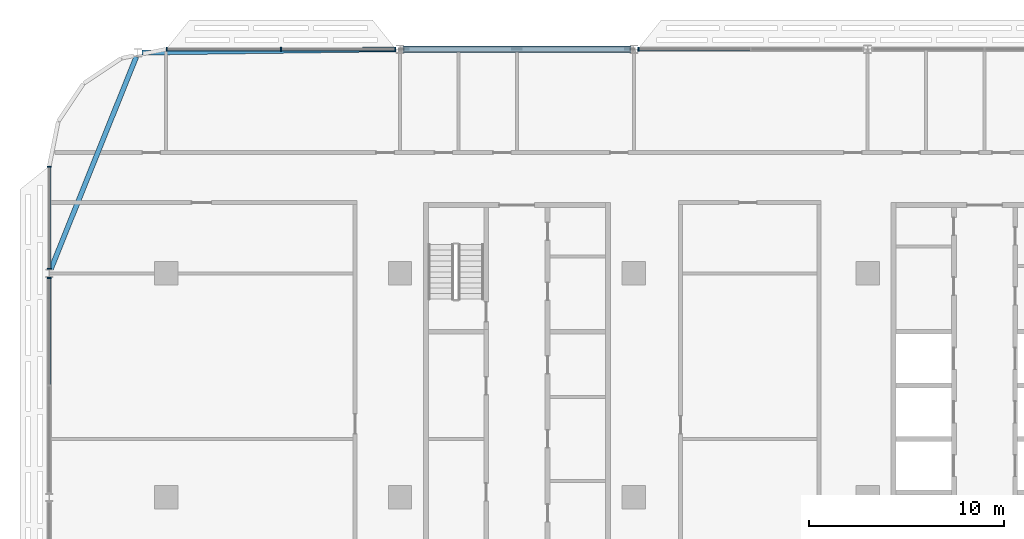
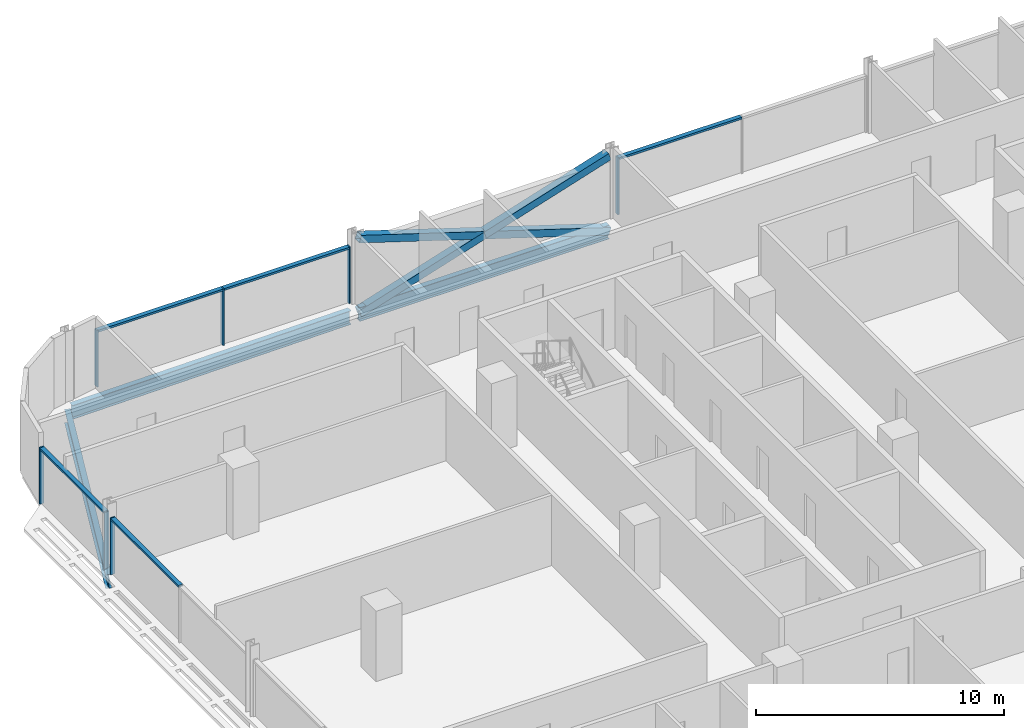
# One storey, part 6 of 27: 15 members, 3 beams, 4 elements without a shape of their own.
"""IFC4 building model written with IfcOpenShell, lengths in metres."""

from ifc_helpers import new_model, si_unit, direction, frame, origin, origin_2d, place, context, subcontext, project, spatial, rectangle, hollow_rectangle, i_section, extrude, material, material_profile, profile_set, type_object, element, aggregate, save


model = new_model("IFC4")

# Units and contexts
model_context = context("Model", 3, precision=1e-05, world=origin(), true_north=direction((0.0, 1.0)))
body_context = subcontext(model_context, "Body", "Model", "MODEL_VIEW")
ifc_project = project(units=[si_unit("LENGTHUNIT", "METRE"), si_unit("AREAUNIT", "SQUARE_METRE"), si_unit("VOLUMEUNIT", "CUBIC_METRE"), si_unit("PLANEANGLEUNIT", "RADIAN"), si_unit("MASSUNIT", "GRAM", prefix="KILO")], contexts=[model_context])

# Site, building, storey
site_placement = place(None, origin())
site = spatial("IfcSite", under=ifc_project, at=site_placement, CompositionType="ELEMENT")
building_placement = place(site_placement, origin())
building = spatial("IfcBuilding", under=site, at=building_placement, Name="Mahtab Terrace Research Tower", CompositionType="ELEMENT")
storey_placement = place(building_placement, frame((0.0, 0.0, 166.800048828125)))
storey = spatial("IfcBuildingStorey", under=building, at=storey_placement, Name="L39", CompositionType="ELEMENT", Elevation=166.800048828125)

# Members
ifc_material_1 = material(Name="Steel ASTM A500 Gr C", Category="steel")
ifc_material_profile_1 = material_profile(ifc_material_1, hollow_rectangle(XDim=0.355712890625, YDim=0.355712890625, WallThickness=0.015869140625, at=origin_2d()), Name="HSS14X14X5/8")
ifc_profile_set_1 = profile_set([ifc_material_profile_1], Name="Steel ASTM A500 Gr C")
member_type_1 = type_object("IfcMemberType", Name="HSS 14x14x5/8 brace XB141458", PredefinedType="BRACE", material=ifc_profile_set_1)
member_1_placement = place(storey_placement, frame((-18.203125, 23.0, -0.61474609375), z_axis=(-0.953347232701, 0.0, 0.301875891554), x_axis=(0.0, -1.0, 0.0)))
element("IfcMember", 1, at=member_1_placement, inside=storey, type_object=member_type_1, Name="Exoskeleton brace L39 06 a", PredefinedType="BRACE", context=body_context, shape_type="SweptSolid", body=[
    extrude(hollow_rectangle(XDim=0.355712890625, YDim=0.355712890625, WallThickness=0.015869140625, at=origin_2d()), origin(), (0.0, 0.0, 1.0), 12.1611328125),
])
for number, where, z_axis, x_axis, name in (
    (2, (-29.796875, 23.0, -0.61474609375), (0.953341454971, 0.0, 0.301894137463), (0.0, 1.0, 0.0), "Exoskeleton brace L39 06 b1"),
    (3, (-24.0, 23.0, 1.220947265625), (0.953353010152, 0.0, 0.301857645313), (0.0, 1.0, 0.0), "Exoskeleton brace L39 06 b2"),
):
    element("IfcMember", number, at=place(storey_placement, frame(where, z_axis=z_axis, x_axis=x_axis)), inside=storey, type_object=member_type_1, Name=name, PredefinedType="BRACE", context=body_context, shape_type="SweptSolid", body=[
        extrude(hollow_rectangle(XDim=0.355712890625, YDim=0.355712890625, WallThickness=0.015869140625, at=origin_2d()), origin(), (0.0, 0.0, 1.0), 6.08056640625),
    ])

# Curtain wall, member
ifc_material_2 = material(Name="Laboratory ribbon curtain wall")
curtain_wall_type = type_object("IfcCurtainWallType", Name="Laboratory ribbon curtain wall", PredefinedType="NOTDEFINED", material=ifc_material_2)
curtain_wall_1_placement = place(storey_placement, origin())
curtain_wall_1 = element("IfcCurtainWall", 4, at=curtain_wall_1_placement, inside=storey, type_object=curtain_wall_type, Name="EN.L39.3.7", PredefinedType="NOTDEFINED")
ifc_material_3 = material(Name="Natural anodised aluminium", Category="aluminium")
ifc_material_profile_2 = material_profile(ifc_material_3, rectangle(XDim=0.199951171875, YDim=0.06494140625, at=origin_2d()), Name="MULLION 65x200")
ifc_profile_set_2 = profile_set([ifc_material_profile_2], Name="Natural anodised aluminium")
member_type_2 = type_object("IfcMemberType", Name="Laboratory ribbon curtain wall mullion", PredefinedType="MULLION", material=ifc_profile_set_2)
member_2_placement = place(storey_placement, frame((-17.759521484375, 23.0, 0.0), z_axis=(0.0, 0.0, 1.0), x_axis=(0.0, -1.0, 0.0)))
member_2 = element("IfcMember", 5, at=member_2_placement, type_object=member_type_2, Name="CWL-5 mullion 3", PredefinedType="MULLION", context=body_context, shape_type="SweptSolid", body=[
    extrude(rectangle(XDim=0.199951171875, YDim=0.06494140625, at=origin_2d()), origin(), (0.0, 0.0, 1.0), 2.78173828125),
])

# Curtain wall, members
curtain_wall_2_placement = place(storey_placement, origin())
curtain_wall_2 = element("IfcCurtainWall", 6, at=curtain_wall_2_placement, inside=storey, type_object=curtain_wall_type, Name="EN.L39.3.9", PredefinedType="NOTDEFINED")
member_3_placement = place(storey_placement, frame((-30.240478515625, 23.0, 0.0), z_axis=(0.0, 0.0, 1.0), x_axis=(0.0, -1.0, 0.0)))
member_3 = element("IfcMember", 7, at=member_3_placement, type_object=member_type_2, Name="CWL-5 mullion 1", PredefinedType="MULLION", context=body_context, shape_type="SweptSolid", body=[
    extrude(rectangle(XDim=0.199951171875, YDim=0.06494140625, at=origin_2d()), origin(), (0.0, 0.0, 1.0), 2.78173828125),
])
member_4_placement = place(storey_placement, frame((-36.10400390625, 23.0, 0.0), z_axis=(0.0, 0.0, 1.0), x_axis=(0.0, -1.0, 0.0)))
member_4 = element("IfcMember", 8, at=member_4_placement, type_object=member_type_2, Name="CWL-5 mullion 2", PredefinedType="MULLION", context=body_context, shape_type="SweptSolid", body=[
    extrude(rectangle(XDim=0.199951171875, YDim=0.06494140625, at=origin_2d()), origin(), (0.0, 0.0, 1.0), 2.78173828125),
])
member_5_placement = place(storey_placement, frame((-41.967529296875, 23.0, 0.0), z_axis=(0.0, 0.0, 1.0), x_axis=(0.0, -1.0, 0.0)))
member_5 = element("IfcMember", 9, at=member_5_placement, type_object=member_type_2, Name="CWL-5 mullion 3", PredefinedType="MULLION", context=body_context, shape_type="SweptSolid", body=[
    extrude(rectangle(XDim=0.199951171875, YDim=0.06494140625, at=origin_2d()), origin(), (0.0, 0.0, 1.0), 2.78173828125),
])

curtain_wall_3_placement = place(storey_placement, origin())
curtain_wall_3 = element("IfcCurtainWall", 10, at=curtain_wall_3_placement, inside=storey, type_object=curtain_wall_type, Name="EN.L39.8.15", PredefinedType="NOTDEFINED")
member_6_placement = place(storey_placement, frame((-48.0, 16.967529296875, 0.0), z_axis=(0.0, 0.0, 1.0), x_axis=(1.0, 0.0, 0.0)))
member_6 = element("IfcMember", 11, at=member_6_placement, type_object=member_type_2, Name="CWL-5 mullion 1", PredefinedType="MULLION", context=body_context, shape_type="SweptSolid", body=[
    extrude(rectangle(XDim=0.199951171875, YDim=0.06494140625, at=origin_2d()), origin(), (0.0, 0.0, 1.0), 2.78173828125),
])
member_7_placement = place(storey_placement, frame((-48.0, 11.740478515625, 0.0), z_axis=(0.0, 0.0, 1.0), x_axis=(1.0, 0.0, 0.0)))
member_7 = element("IfcMember", 12, at=member_7_placement, type_object=member_type_2, Name="CWL-5 mullion 2", PredefinedType="MULLION", context=body_context, shape_type="SweptSolid", body=[
    extrude(rectangle(XDim=0.199951171875, YDim=0.06494140625, at=origin_2d()), origin(), (0.0, 0.0, 1.0), 2.78173828125),
])

# Curtain wall, member
curtain_wall_4_placement = place(storey_placement, origin())
curtain_wall_4 = element("IfcCurtainWall", 13, at=curtain_wall_4_placement, inside=storey, type_object=curtain_wall_type, Name="EN.L39.8.16", PredefinedType="NOTDEFINED")
member_8_placement = place(storey_placement, frame((-48.0, 11.259521484375, 0.0), z_axis=(0.0, 0.0, 1.0), x_axis=(1.0, 0.0, 0.0)))
member_8 = element("IfcMember", 14, at=member_8_placement, type_object=member_type_2, Name="CWL-5 mullion 1", PredefinedType="MULLION", context=body_context, shape_type="SweptSolid", body=[
    extrude(rectangle(XDim=0.199951171875, YDim=0.06494140625, at=origin_2d()), origin(), (0.0, 0.0, 1.0), 2.78173828125),
])

# Member
ifc_material_profile_3 = material_profile(ifc_material_3, rectangle(XDim=0.199951171875, YDim=0.10009765625, at=origin_2d()), Name="TRANSOM 100x200")
ifc_profile_set_3 = profile_set([ifc_material_profile_3], Name="Natural anodised aluminium")
member_type_3 = type_object("IfcMemberType", Name="Laboratory ribbon curtain wall transom", PredefinedType="USERDEFINED", material=ifc_profile_set_3)
member_9_placement = place(storey_placement, frame((-12.032470703125, 23.0, 2.731689453125), z_axis=(-1.0, 0.0, 0.0), x_axis=(0.0, -1.0, 0.0)))
member_9 = element("IfcMember", 15, at=member_9_placement, type_object=member_type_3, Name="CWL-5 transom 2", ObjectType="TRANSOM", PredefinedType="USERDEFINED", context=body_context, shape_type="SweptSolid", body=[
    extrude(rectangle(XDim=0.199951171875, YDim=0.10009765625, at=origin_2d()), origin(), (0.0, 0.0, 1.0), 5.694580078125),
])

aggregate(curtain_wall_1, [member_2, member_9])

member_10_placement = place(storey_placement, frame((-30.27294921875, 23.0, 2.731689453125), z_axis=(-1.0, 0.0, 0.0), x_axis=(0.0, -1.0, 0.0)))
member_10 = element("IfcMember", 16, at=member_10_placement, type_object=member_type_3, Name="CWL-5 transom 1", ObjectType="TRANSOM", PredefinedType="USERDEFINED", context=body_context, shape_type="SweptSolid", body=[
    extrude(rectangle(XDim=0.199951171875, YDim=0.10009765625, at=origin_2d()), origin(), (0.0, 0.0, 1.0), 5.798583984375),
])

member_11_placement = place(storey_placement, frame((-36.136474609375, 23.0, 2.731689453125), z_axis=(-1.0, 0.0, 0.0), x_axis=(0.0, -1.0, 0.0)))
member_11 = element("IfcMember", 17, at=member_11_placement, type_object=member_type_3, Name="CWL-5 transom 2", ObjectType="TRANSOM", PredefinedType="USERDEFINED", context=body_context, shape_type="SweptSolid", body=[
    extrude(rectangle(XDim=0.199951171875, YDim=0.10009765625, at=origin_2d()), origin(), (0.0, 0.0, 1.0), 5.798583984375),
])

aggregate(curtain_wall_2, [member_3, member_4, member_5, member_10, member_11])

member_12_placement = place(storey_placement, frame((-48.0, 16.93505859375, 2.731689453125), z_axis=(0.0, -1.0, 0.0), x_axis=(1.0, 0.0, 0.0)))
member_12 = element("IfcMember", 18, at=member_12_placement, type_object=member_type_3, Name="CWL-5 transom 1", ObjectType="TRANSOM", PredefinedType="USERDEFINED", context=body_context, shape_type="SweptSolid", body=[
    extrude(rectangle(XDim=0.199951171875, YDim=0.10009765625, at=origin_2d()), origin(), (0.0, 0.0, 1.0), 5.162109375),
])

aggregate(curtain_wall_3, [member_6, member_7, member_12])

member_13_placement = place(storey_placement, frame((-48.0, 11.22705078125, 2.731689453125), z_axis=(0.0, -1.0, 0.0), x_axis=(1.0, 0.0, 0.0)))
member_13 = element("IfcMember", 19, at=member_13_placement, type_object=member_type_3, Name="CWL-5 transom 1", ObjectType="TRANSOM", PredefinedType="USERDEFINED", context=body_context, shape_type="SweptSolid", body=[
    extrude(rectangle(XDim=0.199951171875, YDim=0.10009765625, at=origin_2d()), origin(), (0.0, 0.0, 1.0), 5.444580078125),
])

aggregate(curtain_wall_4, [member_8, member_13])

# Beams
ifc_material_4 = material(Name="Steel ASTM A992 Gr 50", Category="steel")
ifc_material_profile_4 = material_profile(ifc_material_4, i_section(OverallWidth=0.25390625, OverallDepth=0.67822265625, WebThickness=0.01171875, FlangeThickness=0.016357421875, at=origin_2d()), Name="W27X84")
ifc_profile_set_4 = profile_set([ifc_material_profile_4], Name="Steel ASTM A992 Gr 50")
beam_type = type_object("IfcBeamType", Name="W27x84 beam BS2784", PredefinedType="BEAM", material=ifc_profile_set_4)
beam_1_placement = place(storey_placement, frame((-18.203125, 23.0, -0.67919921875), z_axis=(-1.0, 0.0, 0.0), x_axis=(0.0, -1.0, 0.0)))
element("IfcBeam", 20, at=beam_1_placement, inside=storey, type_object=beam_type, Name="Spandrel beam L39 06", PredefinedType="BEAM", context=body_context, shape_type="SweptSolid", body=[
    extrude(i_section(OverallWidth=0.25390625, OverallDepth=0.67822265625, WebThickness=0.01171875, FlangeThickness=0.016357421875, at=origin_2d()), origin(), (0.0, 0.0, 1.0), 11.59375),
])
beam_2_placement = place(storey_placement, frame((-30.203125, 22.997314453125, -0.67919921875), z_axis=(-0.999912429007, -0.013233832294, 0.0), x_axis=(0.013233832294, -0.999912429007, 0.0)))
element("IfcBeam", 21, at=beam_2_placement, inside=storey, type_object=beam_type, Name="Spandrel beam L39 07", PredefinedType="BEAM", context=body_context, shape_type="SweptSolid", body=[
    extrude(i_section(OverallWidth=0.25390625, OverallDepth=0.67822265625, WebThickness=0.01171875, FlangeThickness=0.016357421875, at=origin_2d()), origin(), (0.0, 0.0, 1.0), 13.04296875),
])
beam_3_placement = place(storey_placement, frame((-43.53173828125, 22.61376953125, -0.67919921875), z_axis=(-0.373026712357, -0.927820603278, 0.0), x_axis=(0.927820603278, -0.373026712357, 0.0)))
element("IfcBeam", 22, at=beam_3_placement, inside=storey, type_object=beam_type, Name="Spandrel beam L39 08", PredefinedType="BEAM", context=body_context, shape_type="SweptSolid", body=[
    extrude(i_section(OverallWidth=0.25390625, OverallDepth=0.67822265625, WebThickness=0.01171875, FlangeThickness=0.016357421875, at=origin_2d()), origin(), (0.0, 0.0, 1.0), 11.75390625),
])

save(model, "model.ifc")
